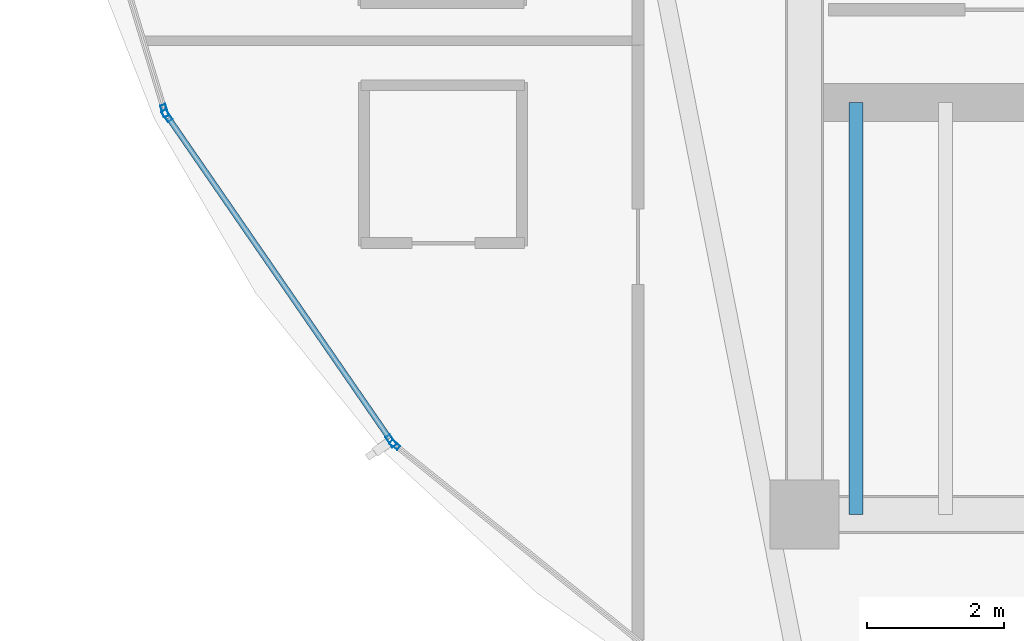
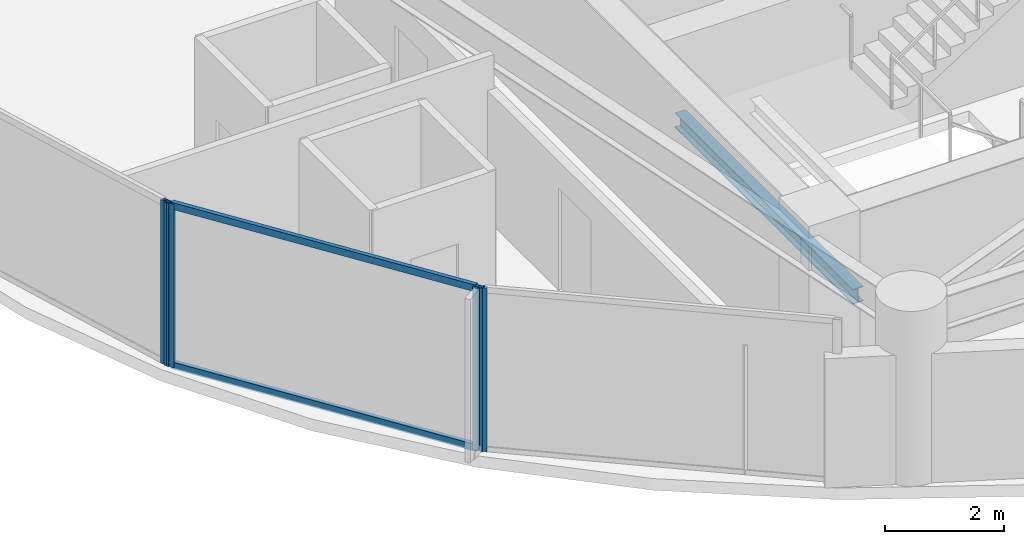
# One storey, part 3 of 34: 6 members, 1 beam, 3 elements without a shape of their own.
"""IFC4 building model written with IfcOpenShell, lengths in metres."""

from ifc_helpers import new_model, si_unit, direction, frame, origin, origin_2d, place, context, subcontext, project, spatial, hollow_rectangle, i_section, extrude, material, layer, layer_set, material_profile, profile_set, type_object, element, aggregate, save


model = new_model("IFC4")

# Units and contexts
model_context = context("Model", 3, precision=1e-05, world=origin(), true_north=direction((0.0, 1.0)))
body_context = subcontext(model_context, "Body", "Model", "MODEL_VIEW")
ifc_project = project(units=[si_unit("LENGTHUNIT", "METRE"), si_unit("AREAUNIT", "SQUARE_METRE"), si_unit("VOLUMEUNIT", "CUBIC_METRE"), si_unit("PLANEANGLEUNIT", "RADIAN"), si_unit("MASSUNIT", "GRAM", prefix="KILO")], contexts=[model_context])

# Site, building, storey
site_placement = place(None, origin())
site = spatial("IfcSite", under=ifc_project, at=site_placement, CompositionType="ELEMENT")
building_placement = place(site_placement, origin())
building = spatial("IfcBuilding", under=site, at=building_placement, Name="Kazevale Care Tower and Concert Hall", CompositionType="ELEMENT")
storey_placement = place(building_placement, frame((0.0, 0.0, 156.60009765625)))
storey = spatial("IfcBuildingStorey", under=building, at=storey_placement, Name="L41", CompositionType="ELEMENT", Elevation=156.60009765625)

# Curtain wall, members
ifc_material_1 = material(Name="Aluminium 6063-T6 and Low-E Glass", Category="aluminium")
ifc_layer_1 = layer(ifc_material_1, 0.179931640625)
ifc_layer_set_1 = layer_set([ifc_layer_1], Name="Aluminium 6063-T6 and Low-E Glass")
curtain_wall_type_1 = type_object("IfcCurtainWallType", Name="Waist & Upper Residential Curtain Wall CW-4", PredefinedType="NOTDEFINED", material=ifc_layer_set_1)
curtain_wall_1_placement = place(storey_placement, origin())
curtain_wall_1 = element("IfcCurtainWall", 1, at=curtain_wall_1_placement, inside=storey, type_object=curtain_wall_type_1, Name="cw:L41:f11", PredefinedType="NOTDEFINED")
ifc_material_2 = material(Name="Aluminium 6063-T6", Category="aluminium")
ifc_material_profile_1 = material_profile(ifc_material_2, hollow_rectangle(XDim=0.080078125, YDim=0.179931640625, WallThickness=0.0048828125, at=origin_2d()), Name="ALU80x180x5")
ifc_profile_set_1 = profile_set([ifc_material_profile_1], Name="Aluminium 6063-T6")
member_type_1 = type_object("IfcMemberType", Name="CW-4 Mullion ALU80x180x5", PredefinedType="MULLION", material=ifc_profile_set_1)
member_1_placement = place(storey_placement, frame((15.981201171875, 24.6708984375, 0.0), z_axis=(0.0, 0.0, 1.0), x_axis=(-0.823326035997, -0.567568708131, 0.0)))
member_1 = element("IfcMember", 2, at=member_1_placement, type_object=member_type_1, Name="CW-4 mullion 1", PredefinedType="MULLION", context=body_context, shape_type="SweptSolid", body=[
    extrude(hollow_rectangle(XDim=0.080078125, YDim=0.179931640625, WallThickness=0.0048828125, at=origin_2d()), origin(), (0.0, 0.0, 1.0), 3.35986328125),
])
member_2_placement = place(storey_placement, frame((12.7158203125, 29.407958984375, 0.0), z_axis=(0.0, 0.0, 1.0), x_axis=(-0.823326035997, -0.567568708131, 0.0)))
member_2 = element("IfcMember", 3, at=member_2_placement, type_object=member_type_1, Name="CW-4 mullion 2", PredefinedType="MULLION", context=body_context, shape_type="SweptSolid", body=[
    extrude(hollow_rectangle(XDim=0.080078125, YDim=0.179931640625, WallThickness=0.0048828125, at=origin_2d()), origin(), (0.0, 0.0, 1.0), 3.35986328125),
])

# Curtain wall, member
curtain_wall_2_placement = place(storey_placement, origin())
curtain_wall_2 = element("IfcCurtainWall", 4, at=curtain_wall_2_placement, inside=storey, type_object=curtain_wall_type_1, Name="cw:L41:f12", PredefinedType="NOTDEFINED")
member_3_placement = place(storey_placement, frame((12.681396484375, 29.479248046875, 0.0), z_axis=(0.0, 0.0, 1.0), x_axis=(-0.956729897234, -0.290977496961, 0.0)))
member_3 = element("IfcMember", 5, at=member_3_placement, type_object=member_type_1, Name="CW-4 mullion 1", PredefinedType="MULLION", context=body_context, shape_type="SweptSolid", body=[
    extrude(hollow_rectangle(XDim=0.080078125, YDim=0.179931640625, WallThickness=0.0048828125, at=origin_2d()), origin(), (0.0, 0.0, 1.0), 3.35986328125),
])
aggregate(curtain_wall_2, [member_3])

# Member
ifc_material_profile_2 = material_profile(ifc_material_2, hollow_rectangle(XDim=0.080078125, YDim=0.139892578125, WallThickness=0.00390625, at=origin_2d()), Name="ALU80x140x4")
ifc_profile_set_2 = profile_set([ifc_material_profile_2], Name="Aluminium 6063-T6")
member_type_2 = type_object("IfcMemberType", Name="CW-4 Transom ALU80x140x4", PredefinedType="USERDEFINED", material=ifc_profile_set_2)
member_4_placement = place(storey_placement, frame((15.95849609375, 24.703857421875, 0.039794921875), z_axis=(-0.567532833811, 0.823350765194, 0.0), x_axis=(-0.823350765194, -0.567532833811, 0.0)))
member_4 = element("IfcMember", 6, at=member_4_placement, type_object=member_type_2, Name="CW-4 transom 1.1", ObjectType="TRANSOM", PredefinedType="USERDEFINED", context=body_context, shape_type="SweptSolid", body=[
    extrude(hollow_rectangle(XDim=0.080078125, YDim=0.139892578125, WallThickness=0.00390625, at=origin_2d()), origin(), (0.0, 0.0, 1.0), 5.673583984375),
])

member_5_placement = place(storey_placement, frame((15.95849609375, 24.703857421875, 3.31982421875), z_axis=(-0.567532833811, 0.823350765194, 0.0), x_axis=(-0.823350765194, -0.567532833811, 0.0)))
member_5 = element("IfcMember", 7, at=member_5_placement, type_object=member_type_2, Name="CW-4 transom 1.2", ObjectType="TRANSOM", PredefinedType="USERDEFINED", context=body_context, shape_type="SweptSolid", body=[
    extrude(hollow_rectangle(XDim=0.080078125, YDim=0.139892578125, WallThickness=0.00390625, at=origin_2d()), origin(), (0.0, 0.0, 1.0), 5.673583984375),
])

aggregate(curtain_wall_1, [member_1, member_2, member_4, member_5])

# Curtain wall, member
ifc_layer_2 = layer(ifc_material_1, 0.179931640625)
ifc_layer_set_2 = layer_set([ifc_layer_2], Name="Aluminium 6063-T6 and Low-E Glass")
curtain_wall_type_2 = type_object("IfcCurtainWallType", Name="Sheltered Concave Balcony Curtain Wall CW-5", PredefinedType="NOTDEFINED", material=ifc_layer_set_2)
curtain_wall_3_placement = place(storey_placement, origin())
curtain_wall_3 = element("IfcCurtainWall", 8, at=curtain_wall_3_placement, inside=storey, type_object=curtain_wall_type_2, Name="cw:L41:f10", PredefinedType="NOTDEFINED")
ifc_material_profile_3 = material_profile(ifc_material_2, hollow_rectangle(XDim=0.074951171875, YDim=0.14990234375, WallThickness=0.00390625, at=origin_2d()), Name="ALU75x150x4")
ifc_profile_set_3 = profile_set([ifc_material_profile_3], Name="Aluminium 6063-T6")
member_type_3 = type_object("IfcMemberType", Name="CW-5 Mullion ALU75x150x4", PredefinedType="MULLION", material=ifc_profile_set_3)
member_6_placement = place(storey_placement, frame((16.033203125, 24.614501953125, 0.0), z_axis=(0.0, 0.0, 1.0), x_axis=(-0.626905357502, -0.779095419531, 0.0)))
member_6 = element("IfcMember", 9, at=member_6_placement, type_object=member_type_3, Name="CW-5 mullion 2", PredefinedType="MULLION", context=body_context, shape_type="SweptSolid", body=[
    extrude(hollow_rectangle(XDim=0.074951171875, YDim=0.14990234375, WallThickness=0.00390625, at=origin_2d()), origin(), (0.0, 0.0, 1.0), 3.35986328125),
])
aggregate(curtain_wall_3, [member_6])

# Beam
ifc_material_3 = material(Name="Steel ASTM A572 Gr 50", Category="steel")
ifc_material_profile_4 = material_profile(ifc_material_3, i_section(OverallWidth=0.202880859375, OverallDepth=0.302978515625, WebThickness=0.007568359375, FlangeThickness=0.01318359375, at=origin_2d()), Name="W310x60")
ifc_profile_set_4 = profile_set([ifc_material_profile_4], Name="Steel ASTM A572 Gr 50")
beam_type = type_object("IfcBeamType", Name="Stair & Balcony Trimmer W310x60", PredefinedType="BEAM", material=ifc_profile_set_4)
beam_placement = place(storey_placement, frame((22.75, 23.60009765625, 1.448486328125), z_axis=(0.0, 1.0, 0.0), x_axis=(-1.0, 0.0, 0.0)))
element("IfcBeam", 10, at=beam_placement, inside=storey, type_object=beam_type, Name="beam:L41:sttrim:ST1", PredefinedType="BEAM", context=body_context, shape_type="SweptSolid", body=[
    extrude(i_section(OverallWidth=0.202880859375, OverallDepth=0.302978515625, WebThickness=0.007568359375, FlangeThickness=0.01318359375, at=origin_2d()), origin(), (0.0, 0.0, 1.0), 6.0),
])

save(model, "model.ifc")
